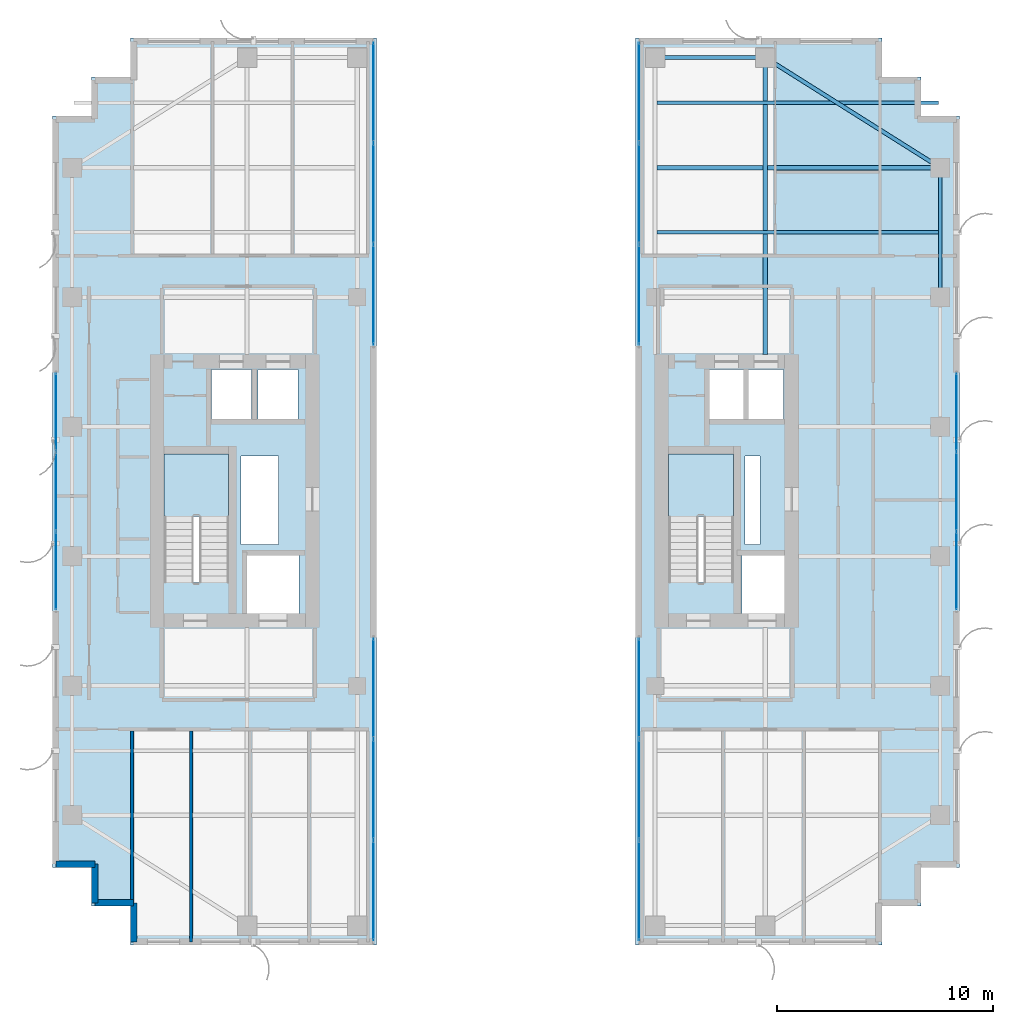
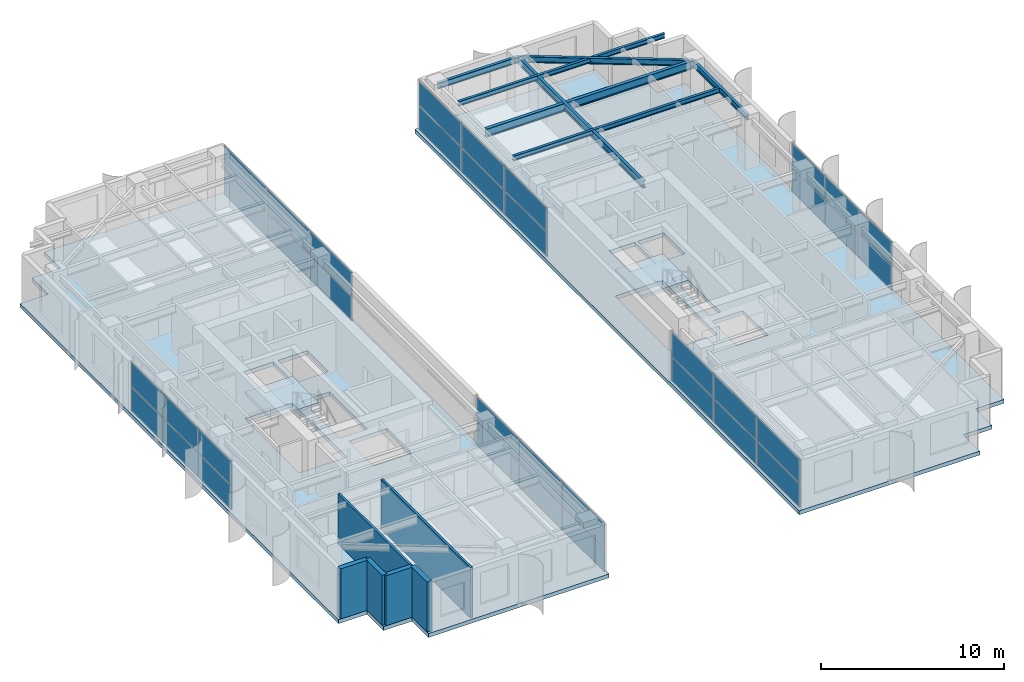
# One storey, part 15 of 22: 36 plates, 7 beams, 6 walls, 4 slabs, 8 elements without a shape of their own.
"""IFC4 building model written with IfcOpenShell, lengths in metres."""

from ifc_helpers import new_model, si_unit, direction, frame, frame_2d, origin, origin_2d, place, context, subcontext, project, spatial, polyline, rectangle, i_section, outline, extrude, source, transform, mapped, material, layer, layer_set, material_profile, profile_set, type_object, element, aggregate, save


model = new_model("IFC4")

# Units and contexts
model_context = context("Model", 3, precision=1e-05, world=origin(), true_north=direction((0.0, 1.0)))
body_context = subcontext(model_context, "Body", "Model", "MODEL_VIEW")
ifc_project = project(units=[si_unit("LENGTHUNIT", "METRE"), si_unit("AREAUNIT", "SQUARE_METRE"), si_unit("VOLUMEUNIT", "CUBIC_METRE"), si_unit("PLANEANGLEUNIT", "RADIAN"), si_unit("MASSUNIT", "GRAM", prefix="KILO")], contexts=[model_context])

# Site, building, storey
site_placement = place(None, origin())
site = spatial("IfcSite", under=ifc_project, at=site_placement, CompositionType="ELEMENT")
building_placement = place(site_placement, origin())
building = spatial("IfcBuilding", under=site, at=building_placement, Name="Khoralis Quay Care Tower", CompositionType="ELEMENT")
storey_placement = place(building_placement, frame((0.0, 0.0, 191.699951171875)))
storey = spatial("IfcBuildingStorey", under=building, at=storey_placement, Name="L50", CompositionType="ELEMENT", Elevation=191.699951171875)

# Beams
ifc_material_1 = material(Name="Steel S355", Category="steel")
ifc_material_profile_1 = material_profile(ifc_material_1, i_section(OverallWidth=0.179931640625, OverallDepth=0.39990234375, WebThickness=0.008544921875, FlangeThickness=0.013427734375, FilletRadius=0.02099609375, at=origin_2d()), Name="Steel S355")
ifc_profile_set_1 = profile_set([ifc_material_profile_1], Name="Steel S355")
beam_type_1 = type_object("IfcBeamType", Name="BM-IPE400", PredefinedType="SPANDREL", material=ifc_profile_set_1)
shared_shape_1 = source(origin(), body_context, "Body", "SweptSolid", [
    extrude(i_section(OverallWidth=0.179931640625, OverallDepth=0.39990234375, WebThickness=0.008544921875, FlangeThickness=0.013427734375, FilletRadius=0.02099609375, at=origin_2d()), origin(), (0.0, 0.0, 1.0), 6.0),
])
beam_1_placement = place(storey_placement, frame((44.10009765625, 30.0, 3.14013671875), z_axis=(0.0, 1.0, 0.0), x_axis=(-1.0, 0.0, 0.0)))
element("IfcBeam", 1, at=beam_1_placement, inside=storey, type_object=beam_type_1, Name="BM-TSP-L50-14", PredefinedType="SPANDREL", context=body_context, shape_type="MappedRepresentation", body=[
    mapped(shared_shape_1, transform((0.0, 0.0, 0.0), scale=1.0)),
])
shared_shape_2 = source(origin(), body_context, "Body", "SweptSolid", [
    extrude(i_section(OverallWidth=0.179931640625, OverallDepth=0.39990234375, WebThickness=0.008544921875, FlangeThickness=0.013427734375, FilletRadius=0.02099609375, at=origin_2d()), origin(), (0.0, 0.0, 1.0), 5.10009765625),
])
beam_2_placement = place(storey_placement, frame((30.89990234375, 41.10009765625, 3.14013671875), z_axis=(1.0, 0.0, 0.0), x_axis=(0.0, 1.0, 0.0)))
element("IfcBeam", 2, at=beam_2_placement, inside=storey, type_object=beam_type_1, Name="BM-TSP-L50-04", PredefinedType="SPANDREL", context=body_context, shape_type="MappedRepresentation", body=[
    mapped(shared_shape_2, transform((0.0, 0.0, 0.0), scale=1.0)),
])
shared_shape_3 = source(origin(), body_context, "Body", "SweptSolid", [
    extrude(i_section(OverallWidth=0.179931640625, OverallDepth=0.39990234375, WebThickness=0.008544921875, FlangeThickness=0.013427734375, FilletRadius=0.02099609375, at=origin_2d()), origin(), (0.0, 0.0, 1.0), 9.572021484375),
])
beam_3_placement = place(storey_placement, frame((36.0, 41.10009765625, 3.14013671875), z_axis=(0.846231136359, -0.532815975602, 0.0), x_axis=(0.532815975602, 0.846231136359, 0.0)))
element("IfcBeam", 3, at=beam_3_placement, inside=storey, type_object=beam_type_1, Name="BM-TCR-L50-18", PredefinedType="SPANDREL", context=body_context, shape_type="MappedRepresentation", body=[
    mapped(shared_shape_3, transform((0.0, 0.0, 0.0), scale=1.0)),
])
ifc_material_profile_2 = material_profile(ifc_material_1, i_section(OverallWidth=0.208984375, OverallDepth=0.532958984375, WebThickness=0.01025390625, FlangeThickness=0.015625, FilletRadius=0.01611328125, at=origin_2d()), Name="Steel S355")
ifc_profile_set_2 = profile_set([ifc_material_profile_2], Name="Steel S355")
beam_type_2 = type_object("IfcBeamType", Name="BM-W530X92", PredefinedType="BEAM", material=ifc_profile_set_2)
shared_shape_4 = source(origin(), body_context, "Body", "SweptSolid", [
    extrude(i_section(OverallWidth=0.208984375, OverallDepth=0.532958984375, WebThickness=0.01025390625, FlangeThickness=0.015625, FilletRadius=0.01611328125, at=origin_2d()), origin(), (0.0, 0.0, 1.0), 13.1162109375),
])
beam_4_placement = place(storey_placement, frame((30.98388671875, 36.0, 3.073486328125), z_axis=(1.0, 0.0, 0.0), x_axis=(0.0, 1.0, 0.0)))
element("IfcBeam", 4, at=beam_4_placement, inside=storey, type_object=beam_type_2, Name="BM-TGXE-L50-360", PredefinedType="BEAM", context=body_context, shape_type="MappedRepresentation", body=[
    mapped(shared_shape_4, transform((0.0, 0.0, 0.0), scale=1.0)),
])
ifc_material_profile_3 = material_profile(ifc_material_1, i_section(OverallWidth=0.19189453125, OverallDepth=0.462890625, WebThickness=0.010498046875, FlangeThickness=0.017578125, FilletRadius=0.014892578125, at=origin_2d()), Name="Steel S355")
ifc_profile_set_3 = profile_set([ifc_material_profile_3], Name="Steel S355")
beam_type_3 = type_object("IfcBeamType", Name="BM-W460X89", PredefinedType="BEAM", material=ifc_profile_set_3)
shared_shape_5 = source(origin(), body_context, "Body", "SweptSolid", [
    extrude(i_section(OverallWidth=0.19189453125, OverallDepth=0.462890625, WebThickness=0.010498046875, FlangeThickness=0.017578125, FilletRadius=0.014892578125, at=origin_2d()), origin(), (0.0, 0.0, 1.0), 13.752197265625),
])
beam_5_placement = place(storey_placement, frame((36.0, 27.347900390625, 3.108642578125), z_axis=(0.0, 1.0, 0.0), x_axis=(-1.0, 0.0, 0.0)))
element("IfcBeam", 5, at=beam_5_placement, inside=storey, type_object=beam_type_3, Name="BM-TGYN-L50-360", PredefinedType="BEAM", context=body_context, shape_type="MappedRepresentation", body=[
    mapped(shared_shape_5, transform((0.0, 0.0, 0.0), scale=1.0)),
])
ifc_material_profile_4 = material_profile(ifc_material_1, i_section(OverallWidth=0.1650390625, OverallDepth=0.31005859375, WebThickness=0.005859375, FlangeThickness=0.009765625, FilletRadius=0.011962890625, at=origin_2d()), Name="Steel S355")
ifc_profile_set_4 = profile_set([ifc_material_profile_4], Name="Steel S355")
beam_type_4 = type_object("IfcBeamType", Name="BM-W310X39", PredefinedType="JOIST", material=ifc_profile_set_4)
shared_shape_6 = source(origin(), body_context, "Body", "SweptSolid", [
    extrude(i_section(OverallWidth=0.1650390625, OverallDepth=0.31005859375, WebThickness=0.005859375, FlangeThickness=0.009765625, FilletRadius=0.011962890625, at=origin_2d()), origin(), (0.0, 0.0, 1.0), 13.0400390625),
])
for number, where, z_axis, x_axis, name in (
    (6, (30.98388671875, 33.0, 3.18505859375), (1.0, 0.0, 0.0), (0.0, 1.0, 0.0), "BM-TJS-L50-22"),
    (7, (30.98388671875, 39.0, 3.18505859375), (1.0, 0.0, 0.0), (0.0, 1.0, 0.0), "BM-TJS-L50-24"),
):
    element("IfcBeam", number, at=place(storey_placement, frame(where, z_axis=z_axis, x_axis=x_axis)), inside=storey, type_object=beam_type_4, Name=name, PredefinedType="JOIST", context=body_context, shape_type="MappedRepresentation", body=[
        mapped(shared_shape_6, transform((0.0, 0.0, 0.0), scale=1.0)),
    ])

# Stair, slab
ifc_material_2 = material(Name="Precast concrete C45/55", Category="concrete")
stair_type = type_object("IfcStairType", Name="ST-TWR-DOGLEG-1400", PredefinedType="HALF_TURN_STAIR", material=ifc_material_2)
stair_1_placement = place(storey_placement, origin())
stair_1 = element("IfcStair", 8, at=stair_1_placement, inside=storey, type_object=stair_type, Name="L50 West Core Exit Stair ST-T1", PredefinedType="HALF_TURN_STAIR")
ifc_layer_1 = layer(ifc_material_2, 0.199951171875)
ifc_layer_set_1 = layer_set([ifc_layer_1], Name="Precast concrete C45/55")
slab_type_1 = type_object("IfcSlabType", Name="SLB-LANDING-200", PredefinedType="LANDING", material=ifc_layer_set_1)
slab_1_placement = place(storey_placement, frame((0.0, 0.0, 1.60009765625)))
slab_1 = element("IfcSlab", 9, at=slab_1_placement, type_object=slab_type_1, Name="ST-T1 landing 1", PredefinedType="LANDING", context=body_context, shape_type="SweptSolid", body=[
    extrude(outline(polyline([(11.14990234375, 19.840087890625), (11.14990234375, 22.75), (8.14990234375, 22.75), (8.14990234375, 19.840087890625), (11.14990234375, 19.840087890625)])), origin(), (0.0, 0.0, 1.0), 0.199951171875),
])
aggregate(stair_1, [slab_1])

stair_2_placement = place(storey_placement, origin())
stair_2 = element("IfcStair", 10, at=stair_2_placement, inside=storey, type_object=stair_type, Name="L50 East Core Exit Stair ST-T2", PredefinedType="HALF_TURN_STAIR")
slab_2_placement = place(storey_placement, frame((0.0, 0.0, 1.60009765625)))
slab_2 = element("IfcSlab", 11, at=slab_2_placement, type_object=slab_type_1, Name="ST-T2 landing 1", PredefinedType="LANDING", context=body_context, shape_type="SweptSolid", body=[
    extrude(outline(polyline([(34.52001953125, 19.840087890625), (34.52001953125, 22.75), (31.52001953125, 22.75), (31.52001953125, 19.840087890625), (34.52001953125, 19.840087890625)])), origin(), (0.0, 0.0, 1.0), 0.199951171875),
])
aggregate(stair_2, [slab_2])

# Slabs
ifc_material_3 = material(Name="Concrete C40/50", Category="concrete")
ifc_layer_2 = layer(ifc_material_3, 0.260009765625)
ifc_layer_set_2 = layer_set([ifc_layer_2], Name="Concrete C40/50")
slab_type_2 = type_object("IfcSlabType", Name="SLB-TWR-260", PredefinedType="FLOOR", material=ifc_layer_set_2)
slab_3_placement = place(storey_placement, frame((0.0, 0.0, -0.260009765625)))
element("IfcSlab", 12, at=slab_3_placement, inside=storey, type_object=slab_type_2, Name="Tower Wing 1 Slab L50", PredefinedType="FLOOR", context=body_context, shape_type="SweptSolid", body=[
    extrude(outline(polyline([(6.60009765625, 0.0), (18.0, 0.0), (18.0, 42.0), (6.60009765625, 42.0), (6.60009765625, 40.199951171875), (4.800048828125, 40.199951171875), (4.800048828125, 38.39990234375), (3.0, 38.39990234375), (3.0, 3.60009765625), (4.800048828125, 3.60009765625), (4.800048828125, 1.800048828125), (6.60009765625, 1.800048828125), (6.60009765625, 0.0)]), holes=[polyline([(11.14990234375, 16.800048828125), (11.14990234375, 22.75), (8.14990234375, 22.75), (8.14990234375, 16.800048828125), (11.14990234375, 16.800048828125)]), polyline([(12.0, 15.35009765625), (14.39990234375, 15.35009765625), (14.39990234375, 18.050048828125), (12.0, 18.050048828125), (12.0, 15.35009765625)]), polyline([(10.35009765625, 24.35009765625), (12.199951171875, 24.35009765625), (12.199951171875, 26.64990234375), (10.35009765625, 26.64990234375), (10.35009765625, 24.35009765625)]), polyline([(12.5, 24.35009765625), (14.35009765625, 24.35009765625), (14.35009765625, 26.64990234375), (12.5, 26.64990234375), (12.5, 24.35009765625)]), polyline([(11.719970703125, 18.550048828125), (13.449951171875, 18.550048828125), (13.449951171875, 22.64990234375), (11.719970703125, 22.64990234375), (11.719970703125, 18.550048828125)])]), origin(), (0.0, 0.0, 1.0), 0.260009765625),
])
slab_4_placement = place(storey_placement, frame((0.0, 0.0, -0.260009765625)))
element("IfcSlab", 13, at=slab_4_placement, inside=storey, type_object=slab_type_2, Name="Tower Wing 2 Slab L50", PredefinedType="FLOOR", context=body_context, shape_type="SweptSolid", body=[
    extrude(outline(polyline([(30.0, 0.0), (41.39990234375, 0.0), (41.39990234375, 1.800048828125), (43.199951171875, 1.800048828125), (43.199951171875, 3.60009765625), (45.0, 3.60009765625), (45.0, 38.39990234375), (43.199951171875, 38.39990234375), (43.199951171875, 40.199951171875), (41.39990234375, 40.199951171875), (41.39990234375, 42.0), (30.0, 42.0), (30.0, 0.0)]), holes=[polyline([(34.52001953125, 16.800048828125), (34.52001953125, 22.75), (31.52001953125, 22.75), (31.52001953125, 16.800048828125), (34.52001953125, 16.800048828125)]), polyline([(34.919921875, 15.35009765625), (36.8798828125, 15.35009765625), (36.8798828125, 18.050048828125), (34.919921875, 18.050048828125), (34.919921875, 15.35009765625)]), polyline([(33.3798828125, 24.35009765625), (35.030029296875, 24.35009765625), (35.030029296875, 26.64990234375), (33.3798828125, 26.64990234375), (33.3798828125, 24.35009765625)]), polyline([(35.199951171875, 24.35009765625), (36.85009765625, 24.35009765625), (36.85009765625, 26.64990234375), (35.199951171875, 26.64990234375), (35.199951171875, 24.35009765625)]), polyline([(35.050048828125, 18.550048828125), (35.75, 18.550048828125), (35.75, 22.64990234375), (35.050048828125, 22.64990234375), (35.050048828125, 18.550048828125)])]), origin(), (0.0, 0.0, 1.0), 0.260009765625),
])

# Curtain wall, plates
ifc_material_4 = material(Name="Pale anodised aluminium", Category="aluminium")
ifc_layer_3 = layer(ifc_material_4, 0.159912109375)
ifc_layer_set_3 = layer_set([ifc_layer_3], Name="Pale anodised aluminium")
curtain_wall_type_1 = type_object("IfcCurtainWallType", Name="CW-SYS-Z3", PredefinedType="NOTDEFINED", material=ifc_layer_set_3)
curtain_wall_1_placement = place(storey_placement, origin())
curtain_wall_1 = element("IfcCurtainWall", 14, at=curtain_wall_1_placement, inside=storey, type_object=curtain_wall_type_1, Name="L50 Unitised Curtain Wall CW-L50-P1-E7", PredefinedType="NOTDEFINED")
ifc_material_5 = material(Name="Low-E solar-control double glazing", Category="glass")
ifc_layer_4 = layer(ifc_material_5, 0.031982421875)
ifc_layer_set_4 = layer_set([ifc_layer_4], Name="Low-E solar-control double glazing")
plate_type = type_object("IfcPlateType", Name="PNL-VIS-32", PredefinedType="CURTAIN_PANEL", material=ifc_layer_set_4)
shared_shape_7 = source(origin(), body_context, "Body", "SweptSolid", [
    extrude(rectangle(XDim=3.590087890625, YDim=0.028076171875, at=origin_2d()), origin(), (0.0, 0.0, 1.0), 1.580078125),
])
plate_1_placement = place(storey_placement, frame((3.14990234375, 24.6650390625, 0.06005859375), z_axis=(0.0, 0.0, 1.0), x_axis=(0.0, -1.0, 0.0)))
plate_1 = element("IfcPlate", 15, at=plate_1_placement, type_object=plate_type, Name="CW3 panel 1.1", PredefinedType="CURTAIN_PANEL", context=body_context, shape_type="MappedRepresentation", body=[
    mapped(shared_shape_7, transform((0.0, 0.0, 0.0), scale=1.0)),
])
plate_2_placement = place(storey_placement, frame((3.14990234375, 24.6650390625, 1.699951171875), z_axis=(0.0, 0.0, 1.0), x_axis=(0.0, -1.0, 0.0)))
plate_2 = element("IfcPlate", 16, at=plate_2_placement, type_object=plate_type, Name="CW3 panel 1.2", PredefinedType="CURTAIN_PANEL", context=body_context, shape_type="MappedRepresentation", body=[
    mapped(shared_shape_7, transform((0.0, 0.0, 0.0), scale=1.0)),
])
plate_3_placement = place(storey_placement, frame((3.14990234375, 17.3349609375, 0.06005859375), z_axis=(0.0, 0.0, 1.0), x_axis=(0.0, -1.0, 0.0)))
plate_3 = element("IfcPlate", 17, at=plate_3_placement, type_object=plate_type, Name="CW3 panel 3.1", PredefinedType="CURTAIN_PANEL", context=body_context, shape_type="MappedRepresentation", body=[
    mapped(shared_shape_7, transform((0.0, 0.0, 0.0), scale=1.0)),
])
plate_4_placement = place(storey_placement, frame((3.14990234375, 17.3349609375, 1.699951171875), z_axis=(0.0, 0.0, 1.0), x_axis=(0.0, -1.0, 0.0)))
plate_4 = element("IfcPlate", 18, at=plate_4_placement, type_object=plate_type, Name="CW3 panel 3.2", PredefinedType="CURTAIN_PANEL", context=body_context, shape_type="MappedRepresentation", body=[
    mapped(shared_shape_7, transform((0.0, 0.0, 0.0), scale=1.0)),
])

curtain_wall_2_placement = place(storey_placement, origin())
curtain_wall_2 = element("IfcCurtainWall", 19, at=curtain_wall_2_placement, inside=storey, type_object=curtain_wall_type_1, Name="L50 Unitised Curtain Wall CW-L50-P2-E5", PredefinedType="NOTDEFINED")
plate_5_placement = place(storey_placement, frame((44.85009765625, 17.3349609375, 0.06005859375), z_axis=(0.0, 0.0, 1.0), x_axis=(0.0, 1.0, 0.0)))
plate_5 = element("IfcPlate", 20, at=plate_5_placement, type_object=plate_type, Name="CW3 panel 1.1", PredefinedType="CURTAIN_PANEL", context=body_context, shape_type="MappedRepresentation", body=[
    mapped(shared_shape_7, transform((0.0, 0.0, 0.0), scale=1.0)),
])
plate_6_placement = place(storey_placement, frame((44.85009765625, 17.3349609375, 1.699951171875), z_axis=(0.0, 0.0, 1.0), x_axis=(0.0, 1.0, 0.0)))
plate_6 = element("IfcPlate", 21, at=plate_6_placement, type_object=plate_type, Name="CW3 panel 1.2", PredefinedType="CURTAIN_PANEL", context=body_context, shape_type="MappedRepresentation", body=[
    mapped(shared_shape_7, transform((0.0, 0.0, 0.0), scale=1.0)),
])
plate_7_placement = place(storey_placement, frame((44.85009765625, 24.6650390625, 0.06005859375), z_axis=(0.0, 0.0, 1.0), x_axis=(0.0, 1.0, 0.0)))
plate_7 = element("IfcPlate", 22, at=plate_7_placement, type_object=plate_type, Name="CW3 panel 3.1", PredefinedType="CURTAIN_PANEL", context=body_context, shape_type="MappedRepresentation", body=[
    mapped(shared_shape_7, transform((0.0, 0.0, 0.0), scale=1.0)),
])
plate_8_placement = place(storey_placement, frame((44.85009765625, 24.6650390625, 1.699951171875), z_axis=(0.0, 0.0, 1.0), x_axis=(0.0, 1.0, 0.0)))
plate_8 = element("IfcPlate", 23, at=plate_8_placement, type_object=plate_type, Name="CW3 panel 3.2", PredefinedType="CURTAIN_PANEL", context=body_context, shape_type="MappedRepresentation", body=[
    mapped(shared_shape_7, transform((0.0, 0.0, 0.0), scale=1.0)),
])

# Plate
shared_shape_8 = source(origin(), body_context, "Body", "SweptSolid", [
    extrude(rectangle(XDim=3.6201171875, YDim=0.028076171875, at=origin_2d()), origin(), (0.0, 0.0, 1.0), 1.580078125),
])
plate_9_placement = place(storey_placement, frame((3.14990234375, 21.0, 0.06005859375), z_axis=(0.0, 0.0, 1.0), x_axis=(0.0, -1.0, 0.0)))
plate_9 = element("IfcPlate", 24, at=plate_9_placement, type_object=plate_type, Name="CW3 panel 2.1", PredefinedType="CURTAIN_PANEL", context=body_context, shape_type="MappedRepresentation", body=[
    mapped(shared_shape_8, transform((0.0, 0.0, 0.0), scale=1.0)),
])

plate_10_placement = place(storey_placement, frame((3.14990234375, 21.0, 1.699951171875), z_axis=(0.0, 0.0, 1.0), x_axis=(0.0, -1.0, 0.0)))
plate_10 = element("IfcPlate", 25, at=plate_10_placement, type_object=plate_type, Name="CW3 panel 2.2", PredefinedType="CURTAIN_PANEL", context=body_context, shape_type="MappedRepresentation", body=[
    mapped(shared_shape_8, transform((0.0, 0.0, 0.0), scale=1.0)),
])

aggregate(curtain_wall_1, [plate_1, plate_2, plate_9, plate_10, plate_3, plate_4])

plate_11_placement = place(storey_placement, frame((44.85009765625, 21.0, 0.06005859375), z_axis=(0.0, 0.0, 1.0), x_axis=(0.0, 1.0, 0.0)))
plate_11 = element("IfcPlate", 26, at=plate_11_placement, type_object=plate_type, Name="CW3 panel 2.1", PredefinedType="CURTAIN_PANEL", context=body_context, shape_type="MappedRepresentation", body=[
    mapped(shared_shape_8, transform((0.0, 0.0, 0.0), scale=1.0)),
])

plate_12_placement = place(storey_placement, frame((44.85009765625, 21.0, 1.699951171875), z_axis=(0.0, 0.0, 1.0), x_axis=(0.0, 1.0, 0.0)))
plate_12 = element("IfcPlate", 27, at=plate_12_placement, type_object=plate_type, Name="CW3 panel 2.2", PredefinedType="CURTAIN_PANEL", context=body_context, shape_type="MappedRepresentation", body=[
    mapped(shared_shape_8, transform((0.0, 0.0, 0.0), scale=1.0)),
])

aggregate(curtain_wall_2, [plate_5, plate_6, plate_11, plate_12, plate_7, plate_8])

# Curtain wall, plates
ifc_layer_5 = layer(ifc_material_4, 0.18994140625)
ifc_layer_set_5 = layer_set([ifc_layer_5], Name="Pale anodised aluminium")
curtain_wall_type_2 = type_object("IfcCurtainWallType", Name="CW-SYS-PORTAL", PredefinedType="NOTDEFINED", material=ifc_layer_set_5)
curtain_wall_3_placement = place(storey_placement, origin())
curtain_wall_3 = element("IfcCurtainWall", 28, at=curtain_wall_3_placement, inside=storey, type_object=curtain_wall_type_2, Name="L50 Unitised Curtain Wall CW-VP-L50-P1-S", PredefinedType="NOTDEFINED")
shared_shape_9 = source(origin(), body_context, "Body", "SweptSolid", [
    extrude(rectangle(XDim=4.610107421875, YDim=0.028076171875, at=origin_2d()), origin(), (0.0, 0.0, 1.0), 1.580078125),
])
plate_13_placement = place(storey_placement, frame((17.85009765625, 2.514892578125, 0.06005859375), z_axis=(0.0, 0.0, 1.0), x_axis=(0.0, 1.0, 0.0)))
plate_13 = element("IfcPlate", 29, at=plate_13_placement, type_object=plate_type, Name="CW4 panel 1.1", PredefinedType="CURTAIN_PANEL", context=body_context, shape_type="MappedRepresentation", body=[
    mapped(shared_shape_9, transform((0.0, 0.0, 0.0), scale=1.0)),
])
plate_14_placement = place(storey_placement, frame((17.85009765625, 2.514892578125, 1.699951171875), z_axis=(0.0, 0.0, 1.0), x_axis=(0.0, 1.0, 0.0)))
plate_14 = element("IfcPlate", 30, at=plate_14_placement, type_object=plate_type, Name="CW4 panel 1.2", PredefinedType="CURTAIN_PANEL", context=body_context, shape_type="MappedRepresentation", body=[
    mapped(shared_shape_9, transform((0.0, 0.0, 0.0), scale=1.0)),
])
plate_15_placement = place(storey_placement, frame((17.85009765625, 11.885009765625, 0.06005859375), z_axis=(0.0, 0.0, 1.0), x_axis=(0.0, 1.0, 0.0)))
plate_15 = element("IfcPlate", 31, at=plate_15_placement, type_object=plate_type, Name="CW4 panel 3.1", PredefinedType="CURTAIN_PANEL", context=body_context, shape_type="MappedRepresentation", body=[
    mapped(shared_shape_9, transform((0.0, 0.0, 0.0), scale=1.0)),
])
plate_16_placement = place(storey_placement, frame((17.85009765625, 11.885009765625, 1.699951171875), z_axis=(0.0, 0.0, 1.0), x_axis=(0.0, 1.0, 0.0)))
plate_16 = element("IfcPlate", 32, at=plate_16_placement, type_object=plate_type, Name="CW4 panel 3.2", PredefinedType="CURTAIN_PANEL", context=body_context, shape_type="MappedRepresentation", body=[
    mapped(shared_shape_9, transform((0.0, 0.0, 0.0), scale=1.0)),
])

curtain_wall_4_placement = place(storey_placement, origin())
curtain_wall_4 = element("IfcCurtainWall", 33, at=curtain_wall_4_placement, inside=storey, type_object=curtain_wall_type_2, Name="L50 Unitised Curtain Wall CW-VP-L50-P1-N", PredefinedType="NOTDEFINED")
plate_17_placement = place(storey_placement, frame((17.85009765625, 30.114990234375, 0.06005859375), z_axis=(0.0, 0.0, 1.0), x_axis=(0.0, 1.0, 0.0)))
plate_17 = element("IfcPlate", 34, at=plate_17_placement, type_object=plate_type, Name="CW4 panel 1.1", PredefinedType="CURTAIN_PANEL", context=body_context, shape_type="MappedRepresentation", body=[
    mapped(shared_shape_9, transform((0.0, 0.0, 0.0), scale=1.0)),
])
plate_18_placement = place(storey_placement, frame((17.85009765625, 30.114990234375, 1.699951171875), z_axis=(0.0, 0.0, 1.0), x_axis=(0.0, 1.0, 0.0)))
plate_18 = element("IfcPlate", 35, at=plate_18_placement, type_object=plate_type, Name="CW4 panel 1.2", PredefinedType="CURTAIN_PANEL", context=body_context, shape_type="MappedRepresentation", body=[
    mapped(shared_shape_9, transform((0.0, 0.0, 0.0), scale=1.0)),
])
plate_19_placement = place(storey_placement, frame((17.85009765625, 39.485107421875, 0.06005859375), z_axis=(0.0, 0.0, 1.0), x_axis=(0.0, 1.0, 0.0)))
plate_19 = element("IfcPlate", 36, at=plate_19_placement, type_object=plate_type, Name="CW4 panel 3.1", PredefinedType="CURTAIN_PANEL", context=body_context, shape_type="MappedRepresentation", body=[
    mapped(shared_shape_9, transform((0.0, 0.0, 0.0), scale=1.0)),
])
plate_20_placement = place(storey_placement, frame((17.85009765625, 39.485107421875, 1.699951171875), z_axis=(0.0, 0.0, 1.0), x_axis=(0.0, 1.0, 0.0)))
plate_20 = element("IfcPlate", 37, at=plate_20_placement, type_object=plate_type, Name="CW4 panel 3.2", PredefinedType="CURTAIN_PANEL", context=body_context, shape_type="MappedRepresentation", body=[
    mapped(shared_shape_9, transform((0.0, 0.0, 0.0), scale=1.0)),
])

curtain_wall_5_placement = place(storey_placement, origin())
curtain_wall_5 = element("IfcCurtainWall", 38, at=curtain_wall_5_placement, inside=storey, type_object=curtain_wall_type_2, Name="L50 Unitised Curtain Wall CW-VP-L50-P2-S", PredefinedType="NOTDEFINED")
plate_21_placement = place(storey_placement, frame((30.14990234375, 2.514892578125, 0.06005859375), z_axis=(0.0, 0.0, 1.0), x_axis=(0.0, 1.0, 0.0)))
plate_21 = element("IfcPlate", 39, at=plate_21_placement, type_object=plate_type, Name="CW4 panel 1.1", PredefinedType="CURTAIN_PANEL", context=body_context, shape_type="MappedRepresentation", body=[
    mapped(shared_shape_9, transform((0.0, 0.0, 0.0), scale=1.0)),
])
plate_22_placement = place(storey_placement, frame((30.14990234375, 2.514892578125, 1.699951171875), z_axis=(0.0, 0.0, 1.0), x_axis=(0.0, 1.0, 0.0)))
plate_22 = element("IfcPlate", 40, at=plate_22_placement, type_object=plate_type, Name="CW4 panel 1.2", PredefinedType="CURTAIN_PANEL", context=body_context, shape_type="MappedRepresentation", body=[
    mapped(shared_shape_9, transform((0.0, 0.0, 0.0), scale=1.0)),
])
plate_23_placement = place(storey_placement, frame((30.14990234375, 11.885009765625, 0.06005859375), z_axis=(0.0, 0.0, 1.0), x_axis=(0.0, 1.0, 0.0)))
plate_23 = element("IfcPlate", 41, at=plate_23_placement, type_object=plate_type, Name="CW4 panel 3.1", PredefinedType="CURTAIN_PANEL", context=body_context, shape_type="MappedRepresentation", body=[
    mapped(shared_shape_9, transform((0.0, 0.0, 0.0), scale=1.0)),
])
plate_24_placement = place(storey_placement, frame((30.14990234375, 11.885009765625, 1.699951171875), z_axis=(0.0, 0.0, 1.0), x_axis=(0.0, 1.0, 0.0)))
plate_24 = element("IfcPlate", 42, at=plate_24_placement, type_object=plate_type, Name="CW4 panel 3.2", PredefinedType="CURTAIN_PANEL", context=body_context, shape_type="MappedRepresentation", body=[
    mapped(shared_shape_9, transform((0.0, 0.0, 0.0), scale=1.0)),
])

curtain_wall_6_placement = place(storey_placement, origin())
curtain_wall_6 = element("IfcCurtainWall", 43, at=curtain_wall_6_placement, inside=storey, type_object=curtain_wall_type_2, Name="L50 Unitised Curtain Wall CW-VP-L50-P2-N", PredefinedType="NOTDEFINED")
plate_25_placement = place(storey_placement, frame((30.14990234375, 30.114990234375, 0.06005859375), z_axis=(0.0, 0.0, 1.0), x_axis=(0.0, 1.0, 0.0)))
plate_25 = element("IfcPlate", 44, at=plate_25_placement, type_object=plate_type, Name="CW4 panel 1.1", PredefinedType="CURTAIN_PANEL", context=body_context, shape_type="MappedRepresentation", body=[
    mapped(shared_shape_9, transform((0.0, 0.0, 0.0), scale=1.0)),
])
plate_26_placement = place(storey_placement, frame((30.14990234375, 30.114990234375, 1.699951171875), z_axis=(0.0, 0.0, 1.0), x_axis=(0.0, 1.0, 0.0)))
plate_26 = element("IfcPlate", 45, at=plate_26_placement, type_object=plate_type, Name="CW4 panel 1.2", PredefinedType="CURTAIN_PANEL", context=body_context, shape_type="MappedRepresentation", body=[
    mapped(shared_shape_9, transform((0.0, 0.0, 0.0), scale=1.0)),
])
plate_27_placement = place(storey_placement, frame((30.14990234375, 39.485107421875, 0.06005859375), z_axis=(0.0, 0.0, 1.0), x_axis=(0.0, 1.0, 0.0)))
plate_27 = element("IfcPlate", 46, at=plate_27_placement, type_object=plate_type, Name="CW4 panel 3.1", PredefinedType="CURTAIN_PANEL", context=body_context, shape_type="MappedRepresentation", body=[
    mapped(shared_shape_9, transform((0.0, 0.0, 0.0), scale=1.0)),
])
plate_28_placement = place(storey_placement, frame((30.14990234375, 39.485107421875, 1.699951171875), z_axis=(0.0, 0.0, 1.0), x_axis=(0.0, 1.0, 0.0)))
plate_28 = element("IfcPlate", 47, at=plate_28_placement, type_object=plate_type, Name="CW4 panel 3.2", PredefinedType="CURTAIN_PANEL", context=body_context, shape_type="MappedRepresentation", body=[
    mapped(shared_shape_9, transform((0.0, 0.0, 0.0), scale=1.0)),
])

# Plate
shared_shape_10 = source(origin(), body_context, "Body", "SweptSolid", [
    extrude(rectangle(XDim=4.639892578125, YDim=0.028076171875, at=origin_2d()), origin(), (0.0, 0.0, 1.0), 1.580078125),
])
plate_29_placement = place(storey_placement, frame((17.85009765625, 7.199951171875, 0.06005859375), z_axis=(0.0, 0.0, 1.0), x_axis=(0.0, 1.0, 0.0)))
plate_29 = element("IfcPlate", 48, at=plate_29_placement, type_object=plate_type, Name="CW4 panel 2.1", PredefinedType="CURTAIN_PANEL", context=body_context, shape_type="MappedRepresentation", body=[
    mapped(shared_shape_10, transform((0.0, 0.0, 0.0), scale=1.0)),
])

plate_30_placement = place(storey_placement, frame((17.85009765625, 7.199951171875, 1.699951171875), z_axis=(0.0, 0.0, 1.0), x_axis=(0.0, 1.0, 0.0)))
plate_30 = element("IfcPlate", 49, at=plate_30_placement, type_object=plate_type, Name="CW4 panel 2.2", PredefinedType="CURTAIN_PANEL", context=body_context, shape_type="MappedRepresentation", body=[
    mapped(shared_shape_10, transform((0.0, 0.0, 0.0), scale=1.0)),
])

aggregate(curtain_wall_3, [plate_13, plate_14, plate_29, plate_30, plate_15, plate_16])

plate_31_placement = place(storey_placement, frame((17.85009765625, 34.800048828125, 0.06005859375), z_axis=(0.0, 0.0, 1.0), x_axis=(0.0, 1.0, 0.0)))
plate_31 = element("IfcPlate", 50, at=plate_31_placement, type_object=plate_type, Name="CW4 panel 2.1", PredefinedType="CURTAIN_PANEL", context=body_context, shape_type="MappedRepresentation", body=[
    mapped(shared_shape_10, transform((0.0, 0.0, 0.0), scale=1.0)),
])

plate_32_placement = place(storey_placement, frame((17.85009765625, 34.800048828125, 1.699951171875), z_axis=(0.0, 0.0, 1.0), x_axis=(0.0, 1.0, 0.0)))
plate_32 = element("IfcPlate", 51, at=plate_32_placement, type_object=plate_type, Name="CW4 panel 2.2", PredefinedType="CURTAIN_PANEL", context=body_context, shape_type="MappedRepresentation", body=[
    mapped(shared_shape_10, transform((0.0, 0.0, 0.0), scale=1.0)),
])

aggregate(curtain_wall_4, [plate_17, plate_18, plate_31, plate_32, plate_19, plate_20])

plate_33_placement = place(storey_placement, frame((30.14990234375, 7.199951171875, 0.06005859375), z_axis=(0.0, 0.0, 1.0), x_axis=(0.0, 1.0, 0.0)))
plate_33 = element("IfcPlate", 52, at=plate_33_placement, type_object=plate_type, Name="CW4 panel 2.1", PredefinedType="CURTAIN_PANEL", context=body_context, shape_type="MappedRepresentation", body=[
    mapped(shared_shape_10, transform((0.0, 0.0, 0.0), scale=1.0)),
])

plate_34_placement = place(storey_placement, frame((30.14990234375, 7.199951171875, 1.699951171875), z_axis=(0.0, 0.0, 1.0), x_axis=(0.0, 1.0, 0.0)))
plate_34 = element("IfcPlate", 53, at=plate_34_placement, type_object=plate_type, Name="CW4 panel 2.2", PredefinedType="CURTAIN_PANEL", context=body_context, shape_type="MappedRepresentation", body=[
    mapped(shared_shape_10, transform((0.0, 0.0, 0.0), scale=1.0)),
])

aggregate(curtain_wall_5, [plate_21, plate_22, plate_33, plate_34, plate_23, plate_24])

plate_35_placement = place(storey_placement, frame((30.14990234375, 34.800048828125, 0.06005859375), z_axis=(0.0, 0.0, 1.0), x_axis=(0.0, 1.0, 0.0)))
plate_35 = element("IfcPlate", 54, at=plate_35_placement, type_object=plate_type, Name="CW4 panel 2.1", PredefinedType="CURTAIN_PANEL", context=body_context, shape_type="MappedRepresentation", body=[
    mapped(shared_shape_10, transform((0.0, 0.0, 0.0), scale=1.0)),
])

plate_36_placement = place(storey_placement, frame((30.14990234375, 34.800048828125, 1.699951171875), z_axis=(0.0, 0.0, 1.0), x_axis=(0.0, 1.0, 0.0)))
plate_36 = element("IfcPlate", 55, at=plate_36_placement, type_object=plate_type, Name="CW4 panel 2.2", PredefinedType="CURTAIN_PANEL", context=body_context, shape_type="MappedRepresentation", body=[
    mapped(shared_shape_10, transform((0.0, 0.0, 0.0), scale=1.0)),
])

aggregate(curtain_wall_6, [plate_25, plate_26, plate_35, plate_36, plate_27, plate_28])

# Walls
ifc_layer_6 = layer(ifc_material_2, 0.300048828125)
ifc_layer_set_6 = layer_set([ifc_layer_6], Name="Precast concrete C45/55")
wall_type_1 = type_object("IfcWallType", Name="WL-EXT-REF-300", PredefinedType="SOLIDWALL", material=ifc_layer_set_6)
for number, where, z_axis, x_axis, name in (
    (56, (3.14990234375, 3.75, 0.0), (0.0, 0.0, 1.0), (1.0, 0.0, 0.0), "L50 External Facade Wall WL-EXT-L50-P1-C8"),
    (57, (4.949951171875, 3.75, 0.0), (0.0, 0.0, 1.0), (0.0, -1.0, 0.0), "L50 External Facade Wall WL-EXT-L50-P1-C9"),
    (58, (4.949951171875, 1.949951171875, 0.0), (0.0, 0.0, 1.0), (1.0, 0.0, 0.0), "L50 External Facade Wall WL-EXT-L50-P1-C10"),
    (59, (6.75, 1.949951171875, 0.0), (0.0, 0.0, 1.0), (0.0, -1.0, 0.0), "L50 External Facade Wall WL-EXT-L50-P1-C11"),
):
    element("IfcWall", number, at=place(storey_placement, frame(where, z_axis=z_axis, x_axis=x_axis)), inside=storey, type_object=wall_type_1, Name=name, PredefinedType="SOLIDWALL", context=body_context, shape_type="SweptSolid", body=[
        extrude(rectangle(XDim=1.800048828125, YDim=0.300048828125, at=frame_2d((0.89990234375, 0.0))), origin(), (0.0, 0.0, 1.0), 3.340087890625),
    ])
ifc_material_6 = material(Name="Gypsum plasterboard on acoustic metal stud")
ifc_layer_7 = layer(ifc_material_6, 0.139892578125)
ifc_layer_set_7 = layer_set([ifc_layer_7], Name="Gypsum plasterboard on acoustic metal stud")
wall_type_2 = type_object("IfcWallType", Name="WL-UNIT-140", PredefinedType="PARTITIONING", material=ifc_layer_set_7)
wall_1_placement = place(storey_placement, frame((6.679931640625, 1.945068359375, 0.0), z_axis=(0.0, 0.0, 1.0), x_axis=(0.0, 1.0, 0.0)))
element("IfcWall", 60, at=wall_1_placement, inside=storey, type_object=wall_type_2, Name="L50 WS Demising Wall 0", PredefinedType="PARTITIONING", context=body_context, shape_type="SweptSolid", body=[
    extrude(rectangle(XDim=7.967529296875, YDim=0.139892578125, at=frame_2d((3.98388671875, 0.0))), origin(), (0.0, 0.0, 1.0), 3.340087890625),
])
wall_2_placement = place(storey_placement, frame((9.409912109375, 0.14501953125, 0.0), z_axis=(0.0, 0.0, 1.0), x_axis=(0.0, 1.0, 0.0)))
element("IfcWall", 61, at=wall_2_placement, inside=storey, type_object=wall_type_2, Name="L50 WS Demising Wall 1", PredefinedType="PARTITIONING", context=body_context, shape_type="SweptSolid", body=[
    extrude(rectangle(XDim=9.767578125, YDim=0.139892578125, at=frame_2d((4.8837890625, 0.0))), origin(), (0.0, 0.0, 1.0), 3.340087890625),
])

save(model, "model.ifc")
